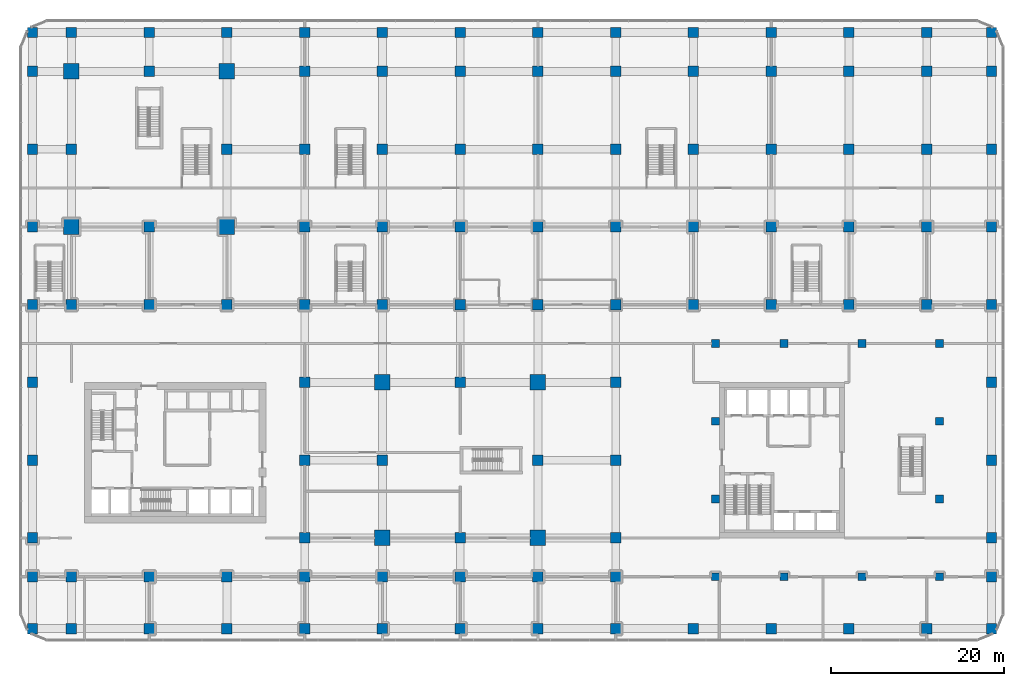
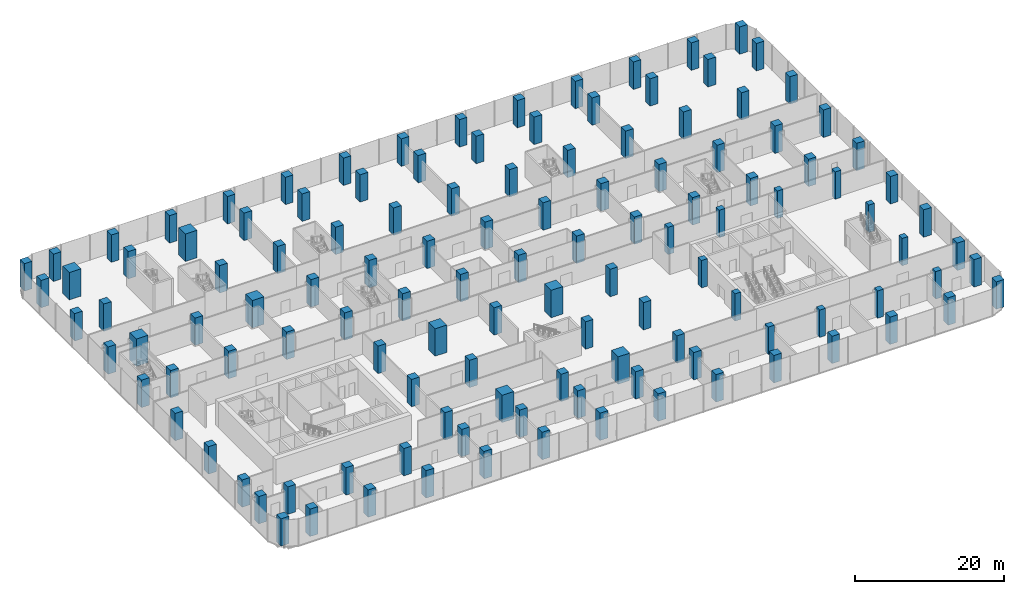
# One storey, part 1 of 43: 125 columns.
"""IFC4 building model written with IfcOpenShell, lengths in metres."""

import ifcopenshell
import ifcopenshell.guid

model = None  # the IFC model being written
_history = None  # IfcOwnerHistory: only IFC2X3 demands one
_inside = {}  # id of a spatial element -> (the spatial element, [elements in it])
_under = {}  # id of a project, library or spatial element -> (it, [spatial elements below it])
_declared = {}  # id of a project -> (the project, [libraries it declares])
_typed = {}  # id of a type object -> (the type object, [elements of that type])
_made_of = {}  # id of a material, layer set ... -> (it, [elements and type objects made of it])


def new_model(schema):
    """Start an empty IFC model of exactly this schema.

    Asked for "IFC4X3", IfcOpenShell would pick the latest addendum, in which some entities
    have other attributes; the version numbers below select the first issue.
    IFC2X3 requires an IfcOwnerHistory on every rooted entity: one is made here for all.
    """
    global model, _history
    if schema == "IFC4X3":
        model = ifcopenshell.file(schema_version=(4, 3, 0, 0))
    else:
        model = ifcopenshell.file(schema=schema)
    _inside.clear()
    _under.clear()
    _declared.clear()
    _typed.clear()
    _made_of.clear()
    _history = None
    if model.schema == "IFC2X3":
        org = make("IfcOrganization", Name="unknown")
        user = make(
            "IfcPersonAndOrganization",
            ThePerson=make("IfcPerson", FamilyName="unknown"),
            TheOrganization=org,
        )
        app = make(
            "IfcApplication",
            ApplicationDeveloper=org,
            Version="unknown",
            ApplicationFullName="unknown",
            ApplicationIdentifier="unknown",
        )
        _history = make(
            "IfcOwnerHistory",
            OwningUser=user,
            OwningApplication=app,
            ChangeAction="ADDED",
            CreationDate=0,
        )
    return model


def make(cls, **values):
    """One entity of the class cls with the attributes given. An attribute that is None is left unset."""
    return model.create_entity(
        cls, **{name: value for name, value in values.items() if value is not None}
    )


def rooted(cls, **values):
    """An entity with a GlobalId (a new one), such as an element, a storey or a relation."""
    return make(cls, GlobalId=ifcopenshell.guid.new(), OwnerHistory=_history, **values)


def si_unit(unit_type, name, prefix=None):
    """IfcSIUnit, for example si_unit("LENGTHUNIT", "METRE", prefix="MILLI")."""
    return make("IfcSIUnit", UnitType=unit_type, Prefix=prefix, Name=name)


def assignment(units):
    """IfcUnitAssignment: the units of a project."""
    return None if units is None else make("IfcUnitAssignment", Units=units)


def point(xyz):
    """IfcCartesianPoint."""
    return None if xyz is None else make("IfcCartesianPoint", Coordinates=xyz)


def direction(xyz):
    """IfcDirection."""
    return None if xyz is None else make("IfcDirection", DirectionRatios=xyz)


def frame(location, z_axis=None, x_axis=None):
    """IfcAxis2Placement3D, a coordinate frame: its origin and axes. An axis left out is left unset."""
    return make(
        "IfcAxis2Placement3D",
        Location=point(location),
        Axis=direction(z_axis),
        RefDirection=direction(x_axis),
    )


def frame_2d(location, x_axis=None):
    """IfcAxis2Placement2D, a coordinate frame in the plane: its origin and x axis."""
    return make(
        "IfcAxis2Placement2D", Location=point(location), RefDirection=direction(x_axis)
    )


def origin():
    """The frame at (0, 0, 0) with its axes left unset."""
    return frame((0.0, 0.0, 0.0))


def origin_2d():
    """The frame at (0, 0) in the plane with its x axis left unset."""
    return frame_2d((0.0, 0.0))


def place(relative_to, where):
    """IfcLocalPlacement: puts the frame where relative to a parent placement (None: the world)."""
    return make(
        "IfcLocalPlacement", PlacementRelTo=relative_to, RelativePlacement=where
    )


def context(
    kind, dimensions, precision=None, world=None, true_north=None, identifier=None
):
    """IfcGeometricRepresentationContext, for example the 3D "Model" context."""
    return make(
        "IfcGeometricRepresentationContext",
        ContextIdentifier=identifier,
        ContextType=kind,
        CoordinateSpaceDimension=dimensions,
        Precision=precision,
        WorldCoordinateSystem=world,
        TrueNorth=true_north,
    )


def subcontext(parent, identifier, kind, view, scale=None):
    """IfcGeometricRepresentationSubContext, for example "Body" below "Model"."""
    return make(
        "IfcGeometricRepresentationSubContext",
        ContextIdentifier=identifier,
        ContextType=kind,
        ParentContext=parent,
        TargetScale=scale,
        TargetView=view,
    )


def project(units=None, contexts=None):
    """IfcProject with its units and contexts."""
    return rooted(
        "IfcProject",
        Name="project",
        RepresentationContexts=contexts,
        UnitsInContext=assignment(units),
    )


def spatial(cls, under=None, at=None, **own):
    """A site, building, storey or space (cls), placed at a placement, below another one or the project."""
    s = rooted(cls, ObjectPlacement=at, **own)
    if under is not None:
        _under.setdefault(under.id(), (under, []))[1].append(s)
    return s


def profile(cls, at=None, kind="AREA", **sizes):
    """A parametric profile (cls). Its sizes go by their IFC names, for example OverallWidth=200.0."""
    return make(cls, ProfileType=kind, Position=at, **sizes)


def rectangle(**sizes):
    """IfcRectangleProfileDef."""
    return profile("IfcRectangleProfileDef", **sizes)


def extrude(swept, where, along, depth):
    """IfcExtrudedAreaSolid: the profile swept, set in the frame where, extruded along a direction by depth."""
    return make(
        "IfcExtrudedAreaSolid",
        SweptArea=swept,
        Position=where,
        ExtrudedDirection=direction(along),
        Depth=depth,
    )


def shape(context_of_items, identifier, shape_type, items):
    """IfcShapeRepresentation: the items that make up one representation, for example the "Body"."""
    return make(
        "IfcShapeRepresentation",
        ContextOfItems=context_of_items,
        RepresentationIdentifier=identifier,
        RepresentationType=shape_type,
        Items=items,
    )


def material(Name=None, Category=None):
    """IfcMaterial."""
    return make("IfcMaterial", Name=Name, Category=Category)


def material_profile(
    of_material, cross_section, Name=None, Category=None, Priority=None
):
    """IfcMaterialProfile: a cross section and its material."""
    return make(
        "IfcMaterialProfile",
        Name=Name,
        Material=of_material,
        Profile=cross_section,
        Priority=Priority,
        Category=Category,
    )


def profile_set(profiles, Name=None, composite=None):
    """IfcMaterialProfileSet."""
    return make(
        "IfcMaterialProfileSet",
        Name=Name,
        MaterialProfiles=profiles,
        CompositeProfile=composite,
    )


def made_of(thing, what):
    """Note that an element or type object is made of a material, layer set ...; save() writes the relation."""
    if what is not None:
        _made_of.setdefault(what.id(), (what, []))[1].append(thing)
    return thing


def type_object(cls, material=None, **own):
    """A type object (cls), such as IfcWallType, which elements share."""
    return made_of(rooted(cls, **own), material)


def element(
    cls,
    number,
    at=None,
    inside=None,
    cuts=None,
    type_object=None,
    material=None,
    context=None,
    identifier="Body",
    shape_type=None,
    held_by="IfcProductDefinitionShape",
    body=None,
    shapes=None,
    **own,
):
    """One element of the class cls, such as IfcWall. Its Tag is "e" and its number.

    at: its placement. inside: the storey or other place that contains it. cuts: it is an
    opening in that element (IfcRelVoidsElement). A single representation is given by context,
    identifier, shape_type and body (its items); several are given by shapes. held_by: the class
    of the entity that holds the representations. save() writes the other relations.
    """
    e = rooted(cls, Tag="e%d" % number, ObjectPlacement=at, **own)
    if body is not None:
        shapes = [shape(context, identifier, shape_type, body)]
    if shapes is not None:
        e.Representation = make(held_by, Representations=shapes)
    if inside is not None:
        _inside.setdefault(inside.id(), (inside, []))[1].append(e)
    if cuts is not None:
        rooted(
            "IfcRelVoidsElement", RelatingBuildingElement=cuts, RelatedOpeningElement=e
        )
    if type_object is not None:
        _typed.setdefault(type_object.id(), (type_object, []))[1].append(e)
    return made_of(e, material)


def aggregate(whole, parts):
    """IfcRelAggregates: a whole, such as a stair, and the parts it consists of."""
    return rooted("IfcRelAggregates", RelatingObject=whole, RelatedObjects=parts)


def save(model, path):
    """Write the relations noted so far, then the file.

    IfcRelAggregates (storeys below a building ...), IfcRelContainedInSpatialStructure (elements
    in a storey), IfcRelDefinesByType, IfcRelAssociatesMaterial and IfcRelDeclares: one each for
    every whole, place, type object, material and project.
    """
    for whole, parts in _under.values():
        aggregate(whole, parts)
    for where, things in _inside.values():
        rooted(
            "IfcRelContainedInSpatialStructure",
            RelatedElements=things,
            RelatingStructure=where,
        )
    for kind, things in _typed.values():
        rooted("IfcRelDefinesByType", RelatedObjects=things, RelatingType=kind)
    for what, things in _made_of.values():
        rooted("IfcRelAssociatesMaterial", RelatedObjects=things, RelatingMaterial=what)
    for by, libraries in _declared.values():
        rooted("IfcRelDeclares", RelatingContext=by, RelatedDefinitions=libraries)
    model.write(path)


model = new_model("IFC4")

# Units and contexts
model_context = context("Model", 3, precision=1e-05, world=origin(), true_north=direction((0.0, 1.0)))
body_context = subcontext(model_context, "Body", "Model", "MODEL_VIEW")
ifc_project = project(units=[si_unit("LENGTHUNIT", "METRE"), si_unit("AREAUNIT", "SQUARE_METRE"), si_unit("VOLUMEUNIT", "CUBIC_METRE"), si_unit("PLANEANGLEUNIT", "RADIAN"), si_unit("MASSUNIT", "GRAM", prefix="KILO")], contexts=[model_context])

# Site, building, storey
site_placement = place(None, origin())
site = spatial("IfcSite", under=ifc_project, at=site_placement, CompositionType="ELEMENT")
building_placement = place(site_placement, origin())
building = spatial("IfcBuilding", under=site, at=building_placement, Name="Plateau Cross Towers", CompositionType="ELEMENT")
storey_placement = place(building_placement, frame((0.0, 0.0, 12.800048828125)))
storey = spatial("IfcBuildingStorey", under=building, at=storey_placement, Name="L02", CompositionType="ELEMENT", Elevation=12.800048828125)

# Columns
ifc_material = material(Name="Concrete C60/75", Category="concrete")
ifc_material_profile_1 = material_profile(ifc_material, rectangle(XDim=0.89990234375, YDim=0.89990234375, at=origin_2d()), Name="RC 900x900")
ifc_profile_set_1 = profile_set([ifc_material_profile_1], Name="Concrete C60/75")
column_type_1 = type_object("IfcColumnType", Name="Office column RC 900x900", PredefinedType="COLUMN", material=ifc_profile_set_1)
for number, where, z_axis, x_axis, name in (
    (1, (74.550048828125, -4.5, 0.0), (0.0, 0.0, 1.0), (1.0, 0.0, 0.0), "B-C746_-45 L02"),
    (2, (82.5, -4.5, 0.0), (0.0, 0.0, 1.0), (1.0, 0.0, 0.0), "B-C825_-45 L02"),
    (3, (91.5, -4.5, 0.0), (0.0, 0.0, 1.0), (1.0, 0.0, 0.0), "B-C915_-45 L02"),
    (4, (100.5, -4.5, 0.0), (0.0, 0.0, 1.0), (1.0, 0.0, 0.0), "B-C1005_-45 L02"),
    (5, (100.5, 4.5, 0.0), (0.0, 0.0, 1.0), (1.0, 0.0, 0.0), "B-C1005_45 L02"),
    (6, (100.5, 13.5, 0.0), (0.0, 0.0, 1.0), (1.0, 0.0, 0.0), "B-C1005_135 L02"),
    (7, (100.5, 22.5, 0.0), (0.0, 0.0, 1.0), (1.0, 0.0, 0.0), "B-C1005_225 L02"),
    (8, (91.5, 22.5, 0.0), (0.0, 0.0, 1.0), (1.0, 0.0, 0.0), "B-C915_225 L02"),
    (9, (82.5, 22.5, 0.0), (0.0, 0.0, 1.0), (1.0, 0.0, 0.0), "B-C825_225 L02"),
    (10, (74.550048828125, 22.5, 0.0), (0.0, 0.0, 1.0), (1.0, 0.0, 0.0), "B-C746_225 L02"),
    (11, (74.550048828125, 13.5, 0.0), (0.0, 0.0, 1.0), (1.0, 0.0, 0.0), "B-C746_135 L02"),
    (12, (74.550048828125, 4.5, 0.0), (0.0, 0.0, 1.0), (1.0, 0.0, 0.0), "B-C746_45 L02"),
):
    element("IfcColumn", number, at=place(storey_placement, frame(where, z_axis=z_axis, x_axis=x_axis)), inside=storey, type_object=column_type_1, Name=name, PredefinedType="COLUMN", context=body_context, shape_type="SweptSolid", body=[
        extrude(rectangle(XDim=0.89990234375, YDim=0.89990234375, at=origin_2d()), origin(), (0.0, 0.0, 1.0), 4.5),
    ])
ifc_material_profile_2 = material_profile(ifc_material, rectangle(XDim=1.199951171875, YDim=1.199951171875, at=origin_2d()), Name="RC 1200x1200")
ifc_profile_set_2 = profile_set([ifc_material_profile_2], Name="Concrete C60/75")
column_type_2 = type_object("IfcColumnType", Name="Podium column RC 1200x1200", PredefinedType="COLUMN", material=ifc_profile_set_2)
for number, where, z_axis, x_axis, name in (
    (13, (-4.5, -10.5, 0.0), (0.0, 0.0, 1.0), (1.0, 0.0, 0.0), "P-C-45_-105 L02"),
    (14, (-4.5, -4.5, 0.0), (0.0, 0.0, 1.0), (1.0, 0.0, 0.0), "P-C-45_-45 L02"),
    (15, (-4.5, 0.0, 0.0), (0.0, 0.0, 1.0), (1.0, 0.0, 0.0), "P-C-45_0 L02"),
    (16, (-4.5, 9.0, 0.0), (0.0, 0.0, 1.0), (1.0, 0.0, 0.0), "P-C-45_90 L02"),
    (17, (-4.5, 18.0, 0.0), (0.0, 0.0, 1.0), (1.0, 0.0, 0.0), "P-C-45_180 L02"),
    (18, (-4.5, 27.0, 0.0), (0.0, 0.0, 1.0), (1.0, 0.0, 0.0), "P-C-45_270 L02"),
    (19, (-4.5, 36.0, 0.0), (0.0, 0.0, 1.0), (1.0, 0.0, 0.0), "P-C-45_360 L02"),
    (20, (-4.5, 45.0, 0.0), (0.0, 0.0, 1.0), (1.0, 0.0, 0.0), "P-C-45_450 L02"),
    (21, (-4.5, 54.0, 0.0), (0.0, 0.0, 1.0), (1.0, 0.0, 0.0), "P-C-45_540 L02"),
    (22, (-4.5, 58.5, 0.0), (0.0, 0.0, 1.0), (1.0, 0.0, 0.0), "P-C-45_585 L02"),
    (23, (0.0, -10.5, 0.0), (0.0, 0.0, 1.0), (1.0, 0.0, 0.0), "P-C0_-105 L02"),
    (24, (0.0, -4.5, 0.0), (0.0, 0.0, 1.0), (1.0, 0.0, 0.0), "P-C0_-45 L02"),
    (25, (0.0, 27.0, 0.0), (0.0, 0.0, 1.0), (1.0, 0.0, 0.0), "P-C0_270 L02"),
    (26, (0.0, 45.0, 0.0), (0.0, 0.0, 1.0), (1.0, 0.0, 0.0), "P-C0_450 L02"),
    (27, (0.0, 58.5, 0.0), (0.0, 0.0, 1.0), (1.0, 0.0, 0.0), "P-C0_585 L02"),
    (28, (9.0, -10.5, 0.0), (0.0, 0.0, 1.0), (1.0, 0.0, 0.0), "P-C90_-105 L02"),
    (29, (9.0, -4.5, 0.0), (0.0, 0.0, 1.0), (1.0, 0.0, 0.0), "P-C90_-45 L02"),
    (30, (9.0, 27.0, 0.0), (0.0, 0.0, 1.0), (1.0, 0.0, 0.0), "P-C90_270 L02"),
    (31, (9.0, 36.0, 0.0), (0.0, 0.0, 1.0), (1.0, 0.0, 0.0), "P-C90_360 L02"),
    (32, (9.0, 54.0, 0.0), (0.0, 0.0, 1.0), (1.0, 0.0, 0.0), "P-C90_540 L02"),
    (33, (9.0, 58.5, 0.0), (0.0, 0.0, 1.0), (1.0, 0.0, 0.0), "P-C90_585 L02"),
    (34, (18.0, -10.5, 0.0), (0.0, 0.0, 1.0), (1.0, 0.0, 0.0), "P-C180_-105 L02"),
    (35, (18.0, -4.5, 0.0), (0.0, 0.0, 1.0), (1.0, 0.0, 0.0), "P-C180_-45 L02"),
    (36, (18.0, 27.0, 0.0), (0.0, 0.0, 1.0), (1.0, 0.0, 0.0), "P-C180_270 L02"),
    (37, (18.0, 45.0, 0.0), (0.0, 0.0, 1.0), (1.0, 0.0, 0.0), "P-C180_450 L02"),
    (38, (18.0, 58.5, 0.0), (0.0, 0.0, 1.0), (1.0, 0.0, 0.0), "P-C180_585 L02"),
    (39, (27.0, -10.5, 0.0), (0.0, 0.0, 1.0), (1.0, 0.0, 0.0), "P-C270_-105 L02"),
    (40, (27.0, -4.5, 0.0), (0.0, 0.0, 1.0), (1.0, 0.0, 0.0), "P-C270_-45 L02"),
    (41, (27.0, 0.0, 0.0), (0.0, 0.0, 1.0), (1.0, 0.0, 0.0), "P-C270_0 L02"),
    (42, (27.0, 9.0, 0.0), (0.0, 0.0, 1.0), (1.0, 0.0, 0.0), "P-C270_90 L02"),
    (43, (27.0, 18.0, 0.0), (0.0, 0.0, 1.0), (1.0, 0.0, 0.0), "P-C270_180 L02"),
    (44, (27.0, 27.0, 0.0), (0.0, 0.0, 1.0), (1.0, 0.0, 0.0), "P-C270_270 L02"),
    (45, (27.0, 36.0, 0.0), (0.0, 0.0, 1.0), (1.0, 0.0, 0.0), "P-C270_360 L02"),
    (46, (27.0, 45.0, 0.0), (0.0, 0.0, 1.0), (1.0, 0.0, 0.0), "P-C270_450 L02"),
    (47, (27.0, 54.0, 0.0), (0.0, 0.0, 1.0), (1.0, 0.0, 0.0), "P-C270_540 L02"),
    (48, (27.0, 58.5, 0.0), (0.0, 0.0, 1.0), (1.0, 0.0, 0.0), "P-C270_585 L02"),
    (49, (36.0, -10.5, 0.0), (0.0, 0.0, 1.0), (1.0, 0.0, 0.0), "P-C360_-105 L02"),
    (50, (36.0, -4.5, 0.0), (0.0, 0.0, 1.0), (1.0, 0.0, 0.0), "P-C360_-45 L02"),
    (51, (36.0, 9.0, 0.0), (0.0, 0.0, 1.0), (1.0, 0.0, 0.0), "P-C360_90 L02"),
    (52, (36.0, 27.0, 0.0), (0.0, 0.0, 1.0), (1.0, 0.0, 0.0), "P-C360_270 L02"),
    (53, (36.0, 36.0, 0.0), (0.0, 0.0, 1.0), (1.0, 0.0, 0.0), "P-C360_360 L02"),
    (54, (36.0, 45.0, 0.0), (0.0, 0.0, 1.0), (1.0, 0.0, 0.0), "P-C360_450 L02"),
    (55, (36.0, 54.0, 0.0), (0.0, 0.0, 1.0), (1.0, 0.0, 0.0), "P-C360_540 L02"),
    (56, (36.0, 58.5, 0.0), (0.0, 0.0, 1.0), (1.0, 0.0, 0.0), "P-C360_585 L02"),
    (57, (45.0, -10.5, 0.0), (0.0, 0.0, 1.0), (1.0, 0.0, 0.0), "P-C450_-105 L02"),
    (58, (45.0, -4.5, 0.0), (0.0, 0.0, 1.0), (1.0, 0.0, 0.0), "P-C450_-45 L02"),
    (59, (45.0, 0.0, 0.0), (0.0, 0.0, 1.0), (1.0, 0.0, 0.0), "P-C450_0 L02"),
    (60, (45.0, 18.0, 0.0), (0.0, 0.0, 1.0), (1.0, 0.0, 0.0), "P-C450_180 L02"),
    (61, (45.0, 27.0, 0.0), (0.0, 0.0, 1.0), (1.0, 0.0, 0.0), "P-C450_270 L02"),
    (62, (45.0, 36.0, 0.0), (0.0, 0.0, 1.0), (1.0, 0.0, 0.0), "P-C450_360 L02"),
    (63, (45.0, 45.0, 0.0), (0.0, 0.0, 1.0), (1.0, 0.0, 0.0), "P-C450_450 L02"),
    (64, (45.0, 54.0, 0.0), (0.0, 0.0, 1.0), (1.0, 0.0, 0.0), "P-C450_540 L02"),
    (65, (45.0, 58.5, 0.0), (0.0, 0.0, 1.0), (1.0, 0.0, 0.0), "P-C450_585 L02"),
    (66, (54.0, -10.5, 0.0), (0.0, 0.0, 1.0), (1.0, 0.0, 0.0), "P-C540_-105 L02"),
    (67, (54.0, -4.5, 0.0), (0.0, 0.0, 1.0), (1.0, 0.0, 0.0), "P-C540_-45 L02"),
    (68, (54.0, 9.0, 0.0), (0.0, 0.0, 1.0), (1.0, 0.0, 0.0), "P-C540_90 L02"),
    (69, (54.0, 27.0, 0.0), (0.0, 0.0, 1.0), (1.0, 0.0, 0.0), "P-C540_270 L02"),
    (70, (54.0, 36.0, 0.0), (0.0, 0.0, 1.0), (1.0, 0.0, 0.0), "P-C540_360 L02"),
    (71, (54.0, 45.0, 0.0), (0.0, 0.0, 1.0), (1.0, 0.0, 0.0), "P-C540_450 L02"),
    (72, (54.0, 54.0, 0.0), (0.0, 0.0, 1.0), (1.0, 0.0, 0.0), "P-C540_540 L02"),
    (73, (54.0, 58.5, 0.0), (0.0, 0.0, 1.0), (1.0, 0.0, 0.0), "P-C540_585 L02"),
    (74, (63.0, -10.5, 0.0), (0.0, 0.0, 1.0), (1.0, 0.0, 0.0), "P-C630_-105 L02"),
    (75, (63.0, -4.5, 0.0), (0.0, 0.0, 1.0), (1.0, 0.0, 0.0), "P-C630_-45 L02"),
    (76, (63.0, 0.0, 0.0), (0.0, 0.0, 1.0), (1.0, 0.0, 0.0), "P-C630_0 L02"),
    (77, (63.0, 9.0, 0.0), (0.0, 0.0, 1.0), (1.0, 0.0, 0.0), "P-C630_90 L02"),
    (78, (63.0, 18.0, 0.0), (0.0, 0.0, 1.0), (1.0, 0.0, 0.0), "P-C630_180 L02"),
    (79, (63.0, 27.0, 0.0), (0.0, 0.0, 1.0), (1.0, 0.0, 0.0), "P-C630_270 L02"),
    (80, (63.0, 36.0, 0.0), (0.0, 0.0, 1.0), (1.0, 0.0, 0.0), "P-C630_360 L02"),
    (81, (63.0, 45.0, 0.0), (0.0, 0.0, 1.0), (1.0, 0.0, 0.0), "P-C630_450 L02"),
    (82, (63.0, 54.0, 0.0), (0.0, 0.0, 1.0), (1.0, 0.0, 0.0), "P-C630_540 L02"),
    (83, (63.0, 58.5, 0.0), (0.0, 0.0, 1.0), (1.0, 0.0, 0.0), "P-C630_585 L02"),
    (84, (72.0, -10.5, 0.0), (0.0, 0.0, 1.0), (1.0, 0.0, 0.0), "P-C720_-105 L02"),
    (85, (72.0, 27.0, 0.0), (0.0, 0.0, 1.0), (1.0, 0.0, 0.0), "P-C720_270 L02"),
    (86, (72.0, 36.0, 0.0), (0.0, 0.0, 1.0), (1.0, 0.0, 0.0), "P-C720_360 L02"),
    (87, (72.0, 45.0, 0.0), (0.0, 0.0, 1.0), (1.0, 0.0, 0.0), "P-C720_450 L02"),
    (88, (72.0, 54.0, 0.0), (0.0, 0.0, 1.0), (1.0, 0.0, 0.0), "P-C720_540 L02"),
    (89, (72.0, 58.5, 0.0), (0.0, 0.0, 1.0), (1.0, 0.0, 0.0), "P-C720_585 L02"),
    (90, (81.0, -10.5, 0.0), (0.0, 0.0, 1.0), (1.0, 0.0, 0.0), "P-C810_-105 L02"),
    (91, (81.0, 27.0, 0.0), (0.0, 0.0, 1.0), (1.0, 0.0, 0.0), "P-C810_270 L02"),
    (92, (81.0, 36.0, 0.0), (0.0, 0.0, 1.0), (1.0, 0.0, 0.0), "P-C810_360 L02"),
    (93, (81.0, 45.0, 0.0), (0.0, 0.0, 1.0), (1.0, 0.0, 0.0), "P-C810_450 L02"),
    (94, (81.0, 54.0, 0.0), (0.0, 0.0, 1.0), (1.0, 0.0, 0.0), "P-C810_540 L02"),
    (95, (81.0, 58.5, 0.0), (0.0, 0.0, 1.0), (1.0, 0.0, 0.0), "P-C810_585 L02"),
    (96, (90.0, -10.5, 0.0), (0.0, 0.0, 1.0), (1.0, 0.0, 0.0), "P-C900_-105 L02"),
    (97, (90.0, 27.0, 0.0), (0.0, 0.0, 1.0), (1.0, 0.0, 0.0), "P-C900_270 L02"),
    (98, (90.0, 36.0, 0.0), (0.0, 0.0, 1.0), (1.0, 0.0, 0.0), "P-C900_360 L02"),
    (99, (90.0, 45.0, 0.0), (0.0, 0.0, 1.0), (1.0, 0.0, 0.0), "P-C900_450 L02"),
    (100, (90.0, 54.0, 0.0), (0.0, 0.0, 1.0), (1.0, 0.0, 0.0), "P-C900_540 L02"),
    (101, (90.0, 58.5, 0.0), (0.0, 0.0, 1.0), (1.0, 0.0, 0.0), "P-C900_585 L02"),
    (102, (99.0, -10.5, 0.0), (0.0, 0.0, 1.0), (1.0, 0.0, 0.0), "P-C990_-105 L02"),
    (103, (99.0, 27.0, 0.0), (0.0, 0.0, 1.0), (1.0, 0.0, 0.0), "P-C990_270 L02"),
    (104, (99.0, 36.0, 0.0), (0.0, 0.0, 1.0), (1.0, 0.0, 0.0), "P-C990_360 L02"),
    (105, (99.0, 45.0, 0.0), (0.0, 0.0, 1.0), (1.0, 0.0, 0.0), "P-C990_450 L02"),
    (106, (99.0, 54.0, 0.0), (0.0, 0.0, 1.0), (1.0, 0.0, 0.0), "P-C990_540 L02"),
    (107, (99.0, 58.5, 0.0), (0.0, 0.0, 1.0), (1.0, 0.0, 0.0), "P-C990_585 L02"),
    (108, (106.5, -10.5, 0.0), (0.0, 0.0, 1.0), (1.0, 0.0, 0.0), "P-C1065_-105 L02"),
    (109, (106.5, -4.5, 0.0), (0.0, 0.0, 1.0), (1.0, 0.0, 0.0), "P-C1065_-45 L02"),
    (110, (106.5, 0.0, 0.0), (0.0, 0.0, 1.0), (1.0, 0.0, 0.0), "P-C1065_0 L02"),
    (111, (106.5, 9.0, 0.0), (0.0, 0.0, 1.0), (1.0, 0.0, 0.0), "P-C1065_90 L02"),
    (112, (106.5, 18.0, 0.0), (0.0, 0.0, 1.0), (1.0, 0.0, 0.0), "P-C1065_180 L02"),
    (113, (106.5, 27.0, 0.0), (0.0, 0.0, 1.0), (1.0, 0.0, 0.0), "P-C1065_270 L02"),
    (114, (106.5, 36.0, 0.0), (0.0, 0.0, 1.0), (1.0, 0.0, 0.0), "P-C1065_360 L02"),
    (115, (106.5, 45.0, 0.0), (0.0, 0.0, 1.0), (1.0, 0.0, 0.0), "P-C1065_450 L02"),
    (116, (106.5, 54.0, 0.0), (0.0, 0.0, 1.0), (1.0, 0.0, 0.0), "P-C1065_540 L02"),
    (117, (106.5, 58.5, 0.0), (0.0, 0.0, 1.0), (1.0, 0.0, 0.0), "P-C1065_585 L02"),
):
    element("IfcColumn", number, at=place(storey_placement, frame(where, z_axis=z_axis, x_axis=x_axis)), inside=storey, type_object=column_type_2, Name=name, PredefinedType="COLUMN", context=body_context, shape_type="SweptSolid", body=[
        extrude(rectangle(XDim=1.199951171875, YDim=1.199951171875, at=origin_2d()), origin(), (0.0, 0.0, 1.0), 4.5),
    ])
ifc_material_profile_3 = material_profile(ifc_material, rectangle(XDim=1.800048828125, YDim=1.800048828125, at=origin_2d()), Name="RC 1800x1800")
ifc_profile_set_3 = profile_set([ifc_material_profile_3], Name="Concrete C60/75")
column_type_3 = type_object("IfcColumnType", Name="Transfer column RC 1800x1800", PredefinedType="COLUMN", material=ifc_profile_set_3)
for number, where, z_axis, x_axis, name in (
    (118, (0.0, 36.0, 0.0), (0.0, 0.0, 1.0), (1.0, 0.0, 0.0), "P-C0_360 L02"),
    (119, (0.0, 54.0, 0.0), (0.0, 0.0, 1.0), (1.0, 0.0, 0.0), "P-C0_540 L02"),
    (120, (18.0, 36.0, 0.0), (0.0, 0.0, 1.0), (1.0, 0.0, 0.0), "P-C180_360 L02"),
    (121, (18.0, 54.0, 0.0), (0.0, 0.0, 1.0), (1.0, 0.0, 0.0), "P-C180_540 L02"),
    (122, (36.0, 0.0, 0.0), (0.0, 0.0, 1.0), (1.0, 0.0, 0.0), "P-C360_0 L02"),
    (123, (36.0, 18.0, 0.0), (0.0, 0.0, 1.0), (1.0, 0.0, 0.0), "P-C360_180 L02"),
    (124, (54.0, 0.0, 0.0), (0.0, 0.0, 1.0), (1.0, 0.0, 0.0), "P-C540_0 L02"),
    (125, (54.0, 18.0, 0.0), (0.0, 0.0, 1.0), (1.0, 0.0, 0.0), "P-C540_180 L02"),
):
    element("IfcColumn", number, at=place(storey_placement, frame(where, z_axis=z_axis, x_axis=x_axis)), inside=storey, type_object=column_type_3, Name=name, PredefinedType="COLUMN", context=body_context, shape_type="SweptSolid", body=[
        extrude(rectangle(XDim=1.800048828125, YDim=1.800048828125, at=origin_2d()), origin(), (0.0, 0.0, 1.0), 4.5),
    ])

save(model, "model.ifc")
